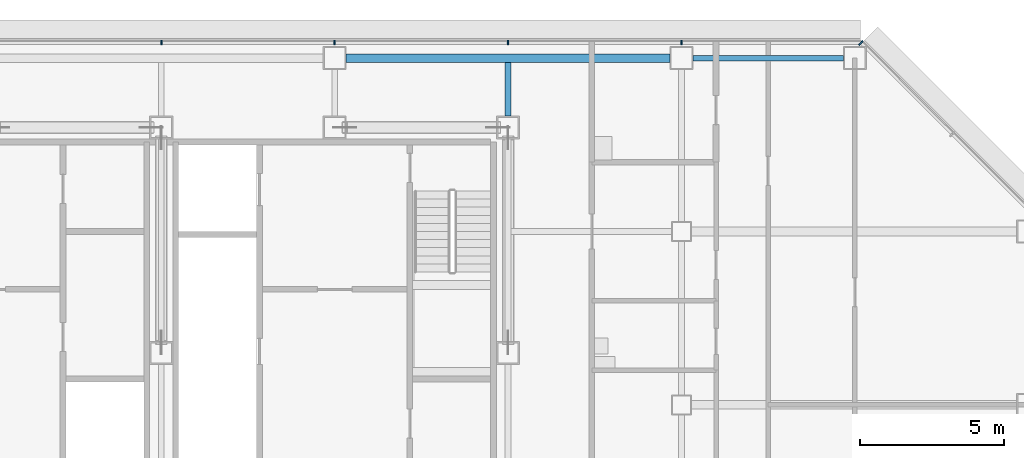
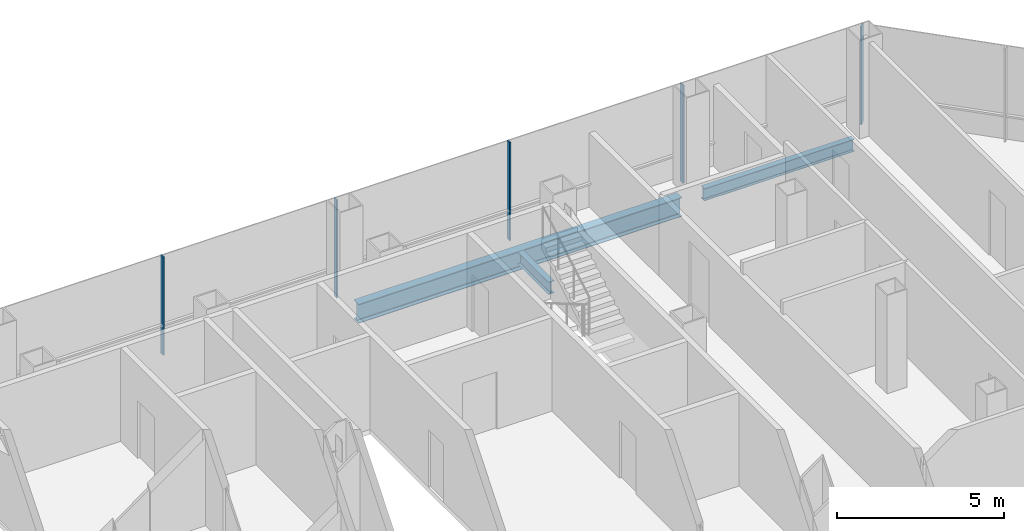
# One storey, part 14 of 25: 5 members, 3 beams, 2 elements without a shape of their own.
"""IFC4 building model written with IfcOpenShell, lengths in metres."""

import ifcopenshell
import ifcopenshell.guid

model = None  # the IFC model being written
_history = None  # IfcOwnerHistory: only IFC2X3 demands one
_inside = {}  # id of a spatial element -> (the spatial element, [elements in it])
_under = {}  # id of a project, library or spatial element -> (it, [spatial elements below it])
_declared = {}  # id of a project -> (the project, [libraries it declares])
_typed = {}  # id of a type object -> (the type object, [elements of that type])
_made_of = {}  # id of a material, layer set ... -> (it, [elements and type objects made of it])


def new_model(schema):
    """Start an empty IFC model of exactly this schema.

    Asked for "IFC4X3", IfcOpenShell would pick the latest addendum, in which some entities
    have other attributes; the version numbers below select the first issue.
    IFC2X3 requires an IfcOwnerHistory on every rooted entity: one is made here for all.
    """
    global model, _history
    if schema == "IFC4X3":
        model = ifcopenshell.file(schema_version=(4, 3, 0, 0))
    else:
        model = ifcopenshell.file(schema=schema)
    _inside.clear()
    _under.clear()
    _declared.clear()
    _typed.clear()
    _made_of.clear()
    _history = None
    if model.schema == "IFC2X3":
        org = make("IfcOrganization", Name="unknown")
        user = make(
            "IfcPersonAndOrganization",
            ThePerson=make("IfcPerson", FamilyName="unknown"),
            TheOrganization=org,
        )
        app = make(
            "IfcApplication",
            ApplicationDeveloper=org,
            Version="unknown",
            ApplicationFullName="unknown",
            ApplicationIdentifier="unknown",
        )
        _history = make(
            "IfcOwnerHistory",
            OwningUser=user,
            OwningApplication=app,
            ChangeAction="ADDED",
            CreationDate=0,
        )
    return model


def make(cls, **values):
    """One entity of the class cls with the attributes given. An attribute that is None is left unset."""
    return model.create_entity(
        cls, **{name: value for name, value in values.items() if value is not None}
    )


def rooted(cls, **values):
    """An entity with a GlobalId (a new one), such as an element, a storey or a relation."""
    return make(cls, GlobalId=ifcopenshell.guid.new(), OwnerHistory=_history, **values)


def si_unit(unit_type, name, prefix=None):
    """IfcSIUnit, for example si_unit("LENGTHUNIT", "METRE", prefix="MILLI")."""
    return make("IfcSIUnit", UnitType=unit_type, Prefix=prefix, Name=name)


def assignment(units):
    """IfcUnitAssignment: the units of a project."""
    return None if units is None else make("IfcUnitAssignment", Units=units)


def point(xyz):
    """IfcCartesianPoint."""
    return None if xyz is None else make("IfcCartesianPoint", Coordinates=xyz)


def direction(xyz):
    """IfcDirection."""
    return None if xyz is None else make("IfcDirection", DirectionRatios=xyz)


def frame(location, z_axis=None, x_axis=None):
    """IfcAxis2Placement3D, a coordinate frame: its origin and axes. An axis left out is left unset."""
    return make(
        "IfcAxis2Placement3D",
        Location=point(location),
        Axis=direction(z_axis),
        RefDirection=direction(x_axis),
    )


def frame_2d(location, x_axis=None):
    """IfcAxis2Placement2D, a coordinate frame in the plane: its origin and x axis."""
    return make(
        "IfcAxis2Placement2D", Location=point(location), RefDirection=direction(x_axis)
    )


def origin():
    """The frame at (0, 0, 0) with its axes left unset."""
    return frame((0.0, 0.0, 0.0))


def origin_2d():
    """The frame at (0, 0) in the plane with its x axis left unset."""
    return frame_2d((0.0, 0.0))


def place(relative_to, where):
    """IfcLocalPlacement: puts the frame where relative to a parent placement (None: the world)."""
    return make(
        "IfcLocalPlacement", PlacementRelTo=relative_to, RelativePlacement=where
    )


def context(
    kind, dimensions, precision=None, world=None, true_north=None, identifier=None
):
    """IfcGeometricRepresentationContext, for example the 3D "Model" context."""
    return make(
        "IfcGeometricRepresentationContext",
        ContextIdentifier=identifier,
        ContextType=kind,
        CoordinateSpaceDimension=dimensions,
        Precision=precision,
        WorldCoordinateSystem=world,
        TrueNorth=true_north,
    )


def subcontext(parent, identifier, kind, view, scale=None):
    """IfcGeometricRepresentationSubContext, for example "Body" below "Model"."""
    return make(
        "IfcGeometricRepresentationSubContext",
        ContextIdentifier=identifier,
        ContextType=kind,
        ParentContext=parent,
        TargetScale=scale,
        TargetView=view,
    )


def project(units=None, contexts=None):
    """IfcProject with its units and contexts."""
    return rooted(
        "IfcProject",
        Name="project",
        RepresentationContexts=contexts,
        UnitsInContext=assignment(units),
    )


def spatial(cls, under=None, at=None, **own):
    """A site, building, storey or space (cls), placed at a placement, below another one or the project."""
    s = rooted(cls, ObjectPlacement=at, **own)
    if under is not None:
        _under.setdefault(under.id(), (under, []))[1].append(s)
    return s


def profile(cls, at=None, kind="AREA", **sizes):
    """A parametric profile (cls). Its sizes go by their IFC names, for example OverallWidth=200.0."""
    return make(cls, ProfileType=kind, Position=at, **sizes)


def rectangle(**sizes):
    """IfcRectangleProfileDef."""
    return profile("IfcRectangleProfileDef", **sizes)


def i_section(**sizes):
    """IfcIShapeProfileDef."""
    return profile("IfcIShapeProfileDef", **sizes)


def extrude(swept, where, along, depth):
    """IfcExtrudedAreaSolid: the profile swept, set in the frame where, extruded along a direction by depth."""
    return make(
        "IfcExtrudedAreaSolid",
        SweptArea=swept,
        Position=where,
        ExtrudedDirection=direction(along),
        Depth=depth,
    )


def shape(context_of_items, identifier, shape_type, items):
    """IfcShapeRepresentation: the items that make up one representation, for example the "Body"."""
    return make(
        "IfcShapeRepresentation",
        ContextOfItems=context_of_items,
        RepresentationIdentifier=identifier,
        RepresentationType=shape_type,
        Items=items,
    )


def material(Name=None, Category=None):
    """IfcMaterial."""
    return make("IfcMaterial", Name=Name, Category=Category)


def material_profile(
    of_material, cross_section, Name=None, Category=None, Priority=None
):
    """IfcMaterialProfile: a cross section and its material."""
    return make(
        "IfcMaterialProfile",
        Name=Name,
        Material=of_material,
        Profile=cross_section,
        Priority=Priority,
        Category=Category,
    )


def profile_set(profiles, Name=None, composite=None):
    """IfcMaterialProfileSet."""
    return make(
        "IfcMaterialProfileSet",
        Name=Name,
        MaterialProfiles=profiles,
        CompositeProfile=composite,
    )


def made_of(thing, what):
    """Note that an element or type object is made of a material, layer set ...; save() writes the relation."""
    if what is not None:
        _made_of.setdefault(what.id(), (what, []))[1].append(thing)
    return thing


def type_object(cls, material=None, **own):
    """A type object (cls), such as IfcWallType, which elements share."""
    return made_of(rooted(cls, **own), material)


def element(
    cls,
    number,
    at=None,
    inside=None,
    cuts=None,
    type_object=None,
    material=None,
    context=None,
    identifier="Body",
    shape_type=None,
    held_by="IfcProductDefinitionShape",
    body=None,
    shapes=None,
    **own,
):
    """One element of the class cls, such as IfcWall. Its Tag is "e" and its number.

    at: its placement. inside: the storey or other place that contains it. cuts: it is an
    opening in that element (IfcRelVoidsElement). A single representation is given by context,
    identifier, shape_type and body (its items); several are given by shapes. held_by: the class
    of the entity that holds the representations. save() writes the other relations.
    """
    e = rooted(cls, Tag="e%d" % number, ObjectPlacement=at, **own)
    if body is not None:
        shapes = [shape(context, identifier, shape_type, body)]
    if shapes is not None:
        e.Representation = make(held_by, Representations=shapes)
    if inside is not None:
        _inside.setdefault(inside.id(), (inside, []))[1].append(e)
    if cuts is not None:
        rooted(
            "IfcRelVoidsElement", RelatingBuildingElement=cuts, RelatedOpeningElement=e
        )
    if type_object is not None:
        _typed.setdefault(type_object.id(), (type_object, []))[1].append(e)
    return made_of(e, material)


def aggregate(whole, parts):
    """IfcRelAggregates: a whole, such as a stair, and the parts it consists of."""
    return rooted("IfcRelAggregates", RelatingObject=whole, RelatedObjects=parts)


def save(model, path):
    """Write the relations noted so far, then the file.

    IfcRelAggregates (storeys below a building ...), IfcRelContainedInSpatialStructure (elements
    in a storey), IfcRelDefinesByType, IfcRelAssociatesMaterial and IfcRelDeclares: one each for
    every whole, place, type object, material and project.
    """
    for whole, parts in _under.values():
        aggregate(whole, parts)
    for where, things in _inside.values():
        rooted(
            "IfcRelContainedInSpatialStructure",
            RelatedElements=things,
            RelatingStructure=where,
        )
    for kind, things in _typed.values():
        rooted("IfcRelDefinesByType", RelatedObjects=things, RelatingType=kind)
    for what, things in _made_of.values():
        rooted("IfcRelAssociatesMaterial", RelatedObjects=things, RelatingMaterial=what)
    for by, libraries in _declared.values():
        rooted("IfcRelDeclares", RelatingContext=by, RelatedDefinitions=libraries)
    model.write(path)


model = new_model("IFC4")

# Units and contexts
model_context = context("Model", 3, precision=1e-05, world=origin(), true_north=direction((0.0, 1.0)))
body_context = subcontext(model_context, "Body", "Model", "MODEL_VIEW")
ifc_project = project(units=[si_unit("LENGTHUNIT", "METRE"), si_unit("AREAUNIT", "SQUARE_METRE"), si_unit("VOLUMEUNIT", "CUBIC_METRE"), si_unit("PLANEANGLEUNIT", "RADIAN"), si_unit("MASSUNIT", "GRAM", prefix="KILO")], contexts=[model_context])

# Site, building, storey
site_placement = place(None, origin())
site = spatial("IfcSite", under=ifc_project, at=site_placement, CompositionType="ELEMENT")
building_placement = place(site_placement, origin())
building = spatial("IfcBuilding", under=site, at=building_placement, Name="Sorahane Residences", CompositionType="ELEMENT")
storey_placement = place(building_placement, frame((0.0, 0.0, 130.39990234375)))
storey = spatial("IfcBuildingStorey", under=building, at=storey_placement, Name="L29", CompositionType="ELEMENT", Elevation=130.39990234375)

# Curtain wall, members
ifc_material_1 = material(Name="Dark low-e glass and black anodised aluminium", Category="aluminium")
curtain_wall_type_1 = type_object("IfcCurtainWallType", Name="Curtain wall CW-1 Typical unitised wall", PredefinedType="NOTDEFINED", material=ifc_material_1)
curtain_wall_1_placement = place(storey_placement, origin())
curtain_wall_1 = element("IfcCurtainWall", 1, at=curtain_wall_1_placement, inside=storey, type_object=curtain_wall_type_1, Name="CW-1 curtain wall L29 N1", PredefinedType="NOTDEFINED")
ifc_material_2 = material(Name="Black anodised aluminium", Category="aluminium")
ifc_material_profile_1 = material_profile(ifc_material_2, rectangle(XDim=0.159912109375, YDim=0.050048828125, at=origin_2d()), Name="Curtain wall mullion CW-1 black anodised aluminium 50x160")
ifc_profile_set_1 = profile_set([ifc_material_profile_1], Name="Black anodised aluminium")
member_type_1 = type_object("IfcMemberType", Name="Curtain wall mullion CW-1 black anodised aluminium 50x160", PredefinedType="MULLION", material=ifc_profile_set_1)
member_1_placement = place(storey_placement, frame((48.0, 48.5400390625, -0.179931640625), z_axis=(0.0, 0.0, 1.0), x_axis=(0.0, 1.0, 0.0)))
member_1 = element("IfcMember", 2, at=member_1_placement, type_object=member_type_1, Name="CW-1 mullion L29 N1.2", PredefinedType="MULLION", context=body_context, shape_type="SweptSolid", body=[
    extrude(rectangle(XDim=0.159912109375, YDim=0.050048828125, at=origin_2d()), origin(), (0.0, 0.0, 1.0), 3.60009765625),
])
member_2_placement = place(storey_placement, frame((42.0, 48.5400390625, -0.179931640625), z_axis=(0.0, 0.0, 1.0), x_axis=(0.0, 1.0, 0.0)))
member_2 = element("IfcMember", 3, at=member_2_placement, type_object=member_type_1, Name="CW-1 mullion L29 N1.3", PredefinedType="MULLION", context=body_context, shape_type="SweptSolid", body=[
    extrude(rectangle(XDim=0.159912109375, YDim=0.050048828125, at=origin_2d()), origin(), (0.0, 0.0, 1.0), 3.60009765625),
])
member_3_placement = place(storey_placement, frame((36.0, 48.5400390625, -0.179931640625), z_axis=(0.0, 0.0, 1.0), x_axis=(0.0, 1.0, 0.0)))
member_3 = element("IfcMember", 4, at=member_3_placement, type_object=member_type_1, Name="CW-1 mullion L29 N1.4", PredefinedType="MULLION", context=body_context, shape_type="SweptSolid", body=[
    extrude(rectangle(XDim=0.159912109375, YDim=0.050048828125, at=origin_2d()), origin(), (0.0, 0.0, 1.0), 3.60009765625),
])
member_4_placement = place(storey_placement, frame((30.0, 48.5400390625, -0.179931640625), z_axis=(0.0, 0.0, 1.0), x_axis=(0.0, 1.0, 0.0)))
member_4 = element("IfcMember", 5, at=member_4_placement, type_object=member_type_1, Name="CW-1 mullion L29 N1.5", PredefinedType="MULLION", context=body_context, shape_type="SweptSolid", body=[
    extrude(rectangle(XDim=0.159912109375, YDim=0.050048828125, at=origin_2d()), origin(), (0.0, 0.0, 1.0), 3.60009765625),
])
aggregate(curtain_wall_1, [member_1, member_2, member_3, member_4])

# Curtain wall, member
ifc_material_3 = material(Name="Dark low-e glass and black anodised aluminium", Category="aluminium")
curtain_wall_type_2 = type_object("IfcCurtainWallType", Name="Curtain wall CW-2 Chamfer unitised wall", PredefinedType="NOTDEFINED", material=ifc_material_3)
curtain_wall_2_placement = place(storey_placement, origin())
curtain_wall_2 = element("IfcCurtainWall", 6, at=curtain_wall_2_placement, inside=storey, type_object=curtain_wall_type_2, Name="CW-2 curtain wall L29 NE1", PredefinedType="NOTDEFINED")
ifc_material_4 = material(Name="Black anodised aluminium", Category="aluminium")
ifc_material_profile_2 = material_profile(ifc_material_4, rectangle(XDim=0.199951171875, YDim=0.050048828125, at=origin_2d()), Name="Curtain wall mullion CW-2 black anodised aluminium 50x200")
ifc_profile_set_2 = profile_set([ifc_material_profile_2], Name="Black anodised aluminium")
member_type_2 = type_object("IfcMemberType", Name="Curtain wall mullion CW-2 black anodised aluminium 50x200", PredefinedType="MULLION", material=ifc_profile_set_2)
member_5_placement = place(storey_placement, frame((54.209716796875, 48.525634765625, -0.179931640625), z_axis=(0.0, 0.0, 1.0), x_axis=(0.707106781187, 0.707106781187, 0.0)))
member_5 = element("IfcMember", 7, at=member_5_placement, type_object=member_type_2, Name="CW-2 mullion L29 NE1.3", PredefinedType="MULLION", context=body_context, shape_type="SweptSolid", body=[
    extrude(rectangle(XDim=0.199951171875, YDim=0.050048828125, at=origin_2d()), origin(), (0.0, 0.0, 1.0), 3.60009765625),
])
aggregate(curtain_wall_2, [member_5])

# Beams
ifc_material_5 = material(Name="Steel Q355B", Category="steel")
ifc_material_profile_3 = material_profile(ifc_material_5, i_section(OverallWidth=0.199951171875, OverallDepth=0.449951171875, WebThickness=0.009033203125, FlangeThickness=0.013916015625, FilletRadius=0.02001953125, at=origin_2d()), Name="HN 450x200x9x14")
ifc_profile_set_3 = profile_set([ifc_material_profile_3], Name="Steel Q355B")
beam_type_1 = type_object("IfcBeamType", Name="Steel floor beam HN 450x200x9x14 Q355B", PredefinedType="BEAM", material=ifc_profile_set_3)
beam_1_placement = place(storey_placement, frame((48.39990234375, 48.0, -0.40478515625), z_axis=(1.0, 0.0, 0.0), x_axis=(0.0, 1.0, 0.0)))
element("IfcBeam", 8, at=beam_1_placement, inside=storey, type_object=beam_type_1, Name="Beam L29 019", PredefinedType="BEAM", context=body_context, shape_type="SweptSolid", body=[
    extrude(i_section(OverallWidth=0.199951171875, OverallDepth=0.449951171875, WebThickness=0.009033203125, FlangeThickness=0.013916015625, FilletRadius=0.02001953125, at=origin_2d()), origin(), (0.0, 0.0, 1.0), 5.2001953125),
])
beam_2_placement = place(storey_placement, frame((42.0, 46.0, -0.40478515625), z_axis=(0.0, 1.0, 0.0), x_axis=(-1.0, 0.0, 0.0)))
element("IfcBeam", 9, at=beam_2_placement, inside=storey, type_object=beam_type_1, Name="Beam L29 057", PredefinedType="BEAM", context=body_context, shape_type="SweptSolid", body=[
    extrude(i_section(OverallWidth=0.199951171875, OverallDepth=0.449951171875, WebThickness=0.009033203125, FlangeThickness=0.013916015625, FilletRadius=0.02001953125, at=origin_2d()), origin(), (0.0, 0.0, 1.0), 1.85009765625),
])
ifc_material_6 = material(Name="Steel Q355B", Category="steel")
ifc_material_profile_4 = material_profile(ifc_material_6, i_section(OverallWidth=0.300048828125, OverallDepth=0.699951171875, WebThickness=0.012939453125, FlangeThickness=0.02392578125, FilletRadius=0.028076171875, at=origin_2d()), Name="HN 700x300x13x24")
ifc_profile_set_4 = profile_set([ifc_material_profile_4], Name="Steel Q355B")
beam_type_2 = type_object("IfcBeamType", Name="Steel floor beam HN 700x300x13x24 Q355B", PredefinedType="BEAM", material=ifc_profile_set_4)
beam_3_placement = place(storey_placement, frame((36.39990234375, 48.0, -0.52978515625), z_axis=(1.0, 0.0, 0.0), x_axis=(0.0, 1.0, 0.0)))
element("IfcBeam", 10, at=beam_3_placement, inside=storey, type_object=beam_type_2, Name="Beam L29 018", PredefinedType="BEAM", context=body_context, shape_type="SweptSolid", body=[
    extrude(i_section(OverallWidth=0.300048828125, OverallDepth=0.699951171875, WebThickness=0.012939453125, FlangeThickness=0.02392578125, FilletRadius=0.028076171875, at=origin_2d()), origin(), (0.0, 0.0, 1.0), 11.2001953125),
])

save(model, "model.ifc")
